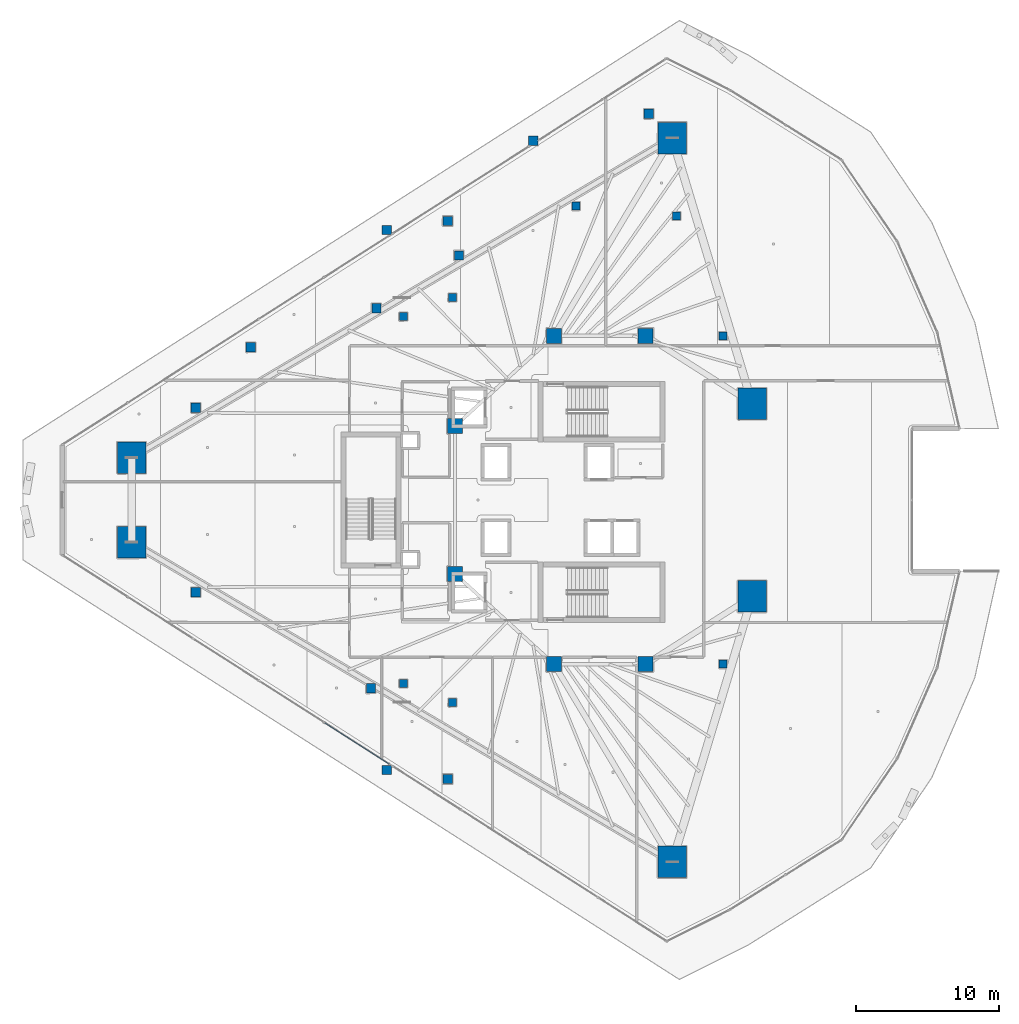
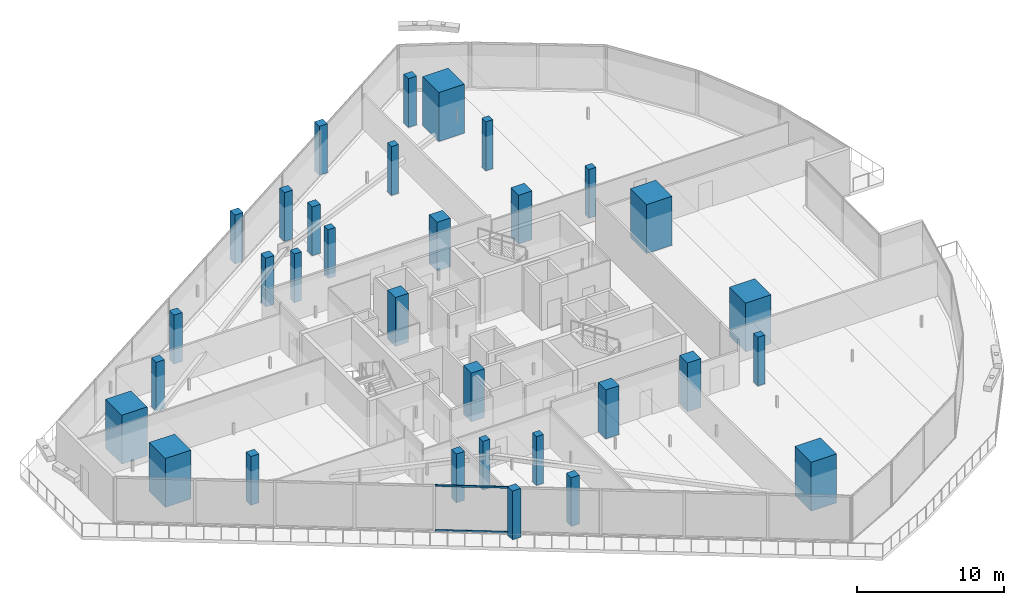
# One storey, part 1 of 45: 32 columns, 2 members, 1 element without a shape of its own.
"""IFC4 building model written with IfcOpenShell, lengths in metres."""

from ifc_helpers import new_model, si_unit, direction, frame, origin, origin_2d, place, context, subcontext, project, spatial, rectangle, hollow_rectangle, extrude, material, layer, layer_set, material_profile, profile_set, type_object, element, aggregate, save


model = new_model("IFC4")

# Units and contexts
model_context = context("Model", 3, precision=1e-05, world=origin(), true_north=direction((0.0, 1.0)))
body_context = subcontext(model_context, "Body", "Model", "MODEL_VIEW")
ifc_project = project(units=[si_unit("LENGTHUNIT", "METRE"), si_unit("AREAUNIT", "SQUARE_METRE"), si_unit("VOLUMEUNIT", "CUBIC_METRE"), si_unit("PLANEANGLEUNIT", "RADIAN"), si_unit("MASSUNIT", "GRAM", prefix="KILO")], contexts=[model_context])

# Site, building, storey
site_placement = place(None, origin())
site = spatial("IfcSite", under=ifc_project, at=site_placement, CompositionType="ELEMENT")
building_placement = place(site_placement, origin())
building = spatial("IfcBuilding", under=site, at=building_placement, Name="Qorvath Tower", CompositionType="ELEMENT")
storey_placement = place(building_placement, frame((0.0, 0.0, 126.0)))
storey = spatial("IfcBuildingStorey", under=building, at=storey_placement, Name="L28", CompositionType="ELEMENT", Elevation=126.0)

# Columns
ifc_material_1 = material(Name="Concrete C70/85", Category="concrete")
ifc_material_profile_1 = material_profile(ifc_material_1, rectangle(XDim=2.0, YDim=2.199951171875, at=origin_2d()), Name="MC 2200x2000")
ifc_profile_set_1 = profile_set([ifc_material_profile_1], Name="Concrete C70/85")
column_type_1 = type_object("IfcColumnType", Name="COL-MC2", PredefinedType="COLUMN", material=ifc_profile_set_1)
for number, where, z_axis, x_axis, name in (
    (1, (-53.04931640625, 2.95068359375, 0.0), (0.0, 0.0, 1.0), (1.0, 0.0, 0.0), "Composite Mega-Column MC1 L28"),
    (2, (-53.04931640625, -2.95068359375, 0.0), (0.0, 0.0, 1.0), (1.0, 0.0, 0.0), "Composite Mega-Column MC2 L28"),
    (3, (-15.34423828125, -25.24609375, 0.0), (0.0, 0.0, 1.0), (1.0, 0.0, 0.0), "Composite Mega-Column MC3 L28"),
    (4, (-9.770263671875, -6.721435546875, 0.0), (0.0, 0.0, 1.0), (1.0, 0.0, 0.0), "Composite Mega-Column MC4 L28"),
    (5, (-9.770263671875, 6.721435546875, 0.0), (0.0, 0.0, 1.0), (1.0, 0.0, 0.0), "Composite Mega-Column MC5 L28"),
    (6, (-15.34423828125, 25.24609375, 0.0), (0.0, 0.0, 1.0), (1.0, 0.0, 0.0), "Composite Mega-Column MC6 L28"),
):
    element("IfcColumn", number, at=place(storey_placement, frame(where, z_axis=z_axis, x_axis=x_axis)), inside=storey, type_object=column_type_1, Name=name, PredefinedType="COLUMN", context=body_context, shape_type="SweptSolid", body=[
        extrude(rectangle(XDim=2.0, YDim=2.199951171875, at=origin_2d()), origin(), (0.0, 0.0, 1.0), 4.050048828125),
    ])
ifc_material_2 = material(Name="Concrete C60/75", Category="concrete")
ifc_material_profile_2 = material_profile(ifc_material_2, rectangle(XDim=1.050048828125, YDim=1.050048828125, at=origin_2d()), Name="RC 1050x1050")
ifc_profile_set_2 = profile_set([ifc_material_profile_2], Name="Concrete C60/75")
column_type_2 = type_object("IfcColumnType", Name="COL-RC2", PredefinedType="COLUMN", material=ifc_profile_set_2)
for number, where, z_axis, x_axis, name in (
    (7, (-23.60009765625, 11.449951171875, 0.0), (0.0, 0.0, 1.0), (1.0, 0.0, 0.0), "Core Spine Column CC1 L28"),
    (8, (-17.199951171875, 11.449951171875, 0.0), (0.0, 0.0, 1.0), (1.0, 0.0, 0.0), "Core Spine Column CC2 L28"),
    (9, (-17.199951171875, -11.449951171875, 0.0), (0.0, 0.0, 1.0), (1.0, 0.0, 0.0), "Core Spine Column CC3 L28"),
    (10, (-23.60009765625, -11.449951171875, 0.0), (0.0, 0.0, 1.0), (1.0, 0.0, 0.0), "Core Spine Column CC4 L28"),
    (11, (-30.5, 5.14990234375, 0.0), (0.0, 0.0, 1.0), (1.0, 0.0, 0.0), "Core Spine Column CC5 L28"),
    (12, (-30.5, -5.14990234375, 0.0), (0.0, 0.0, 1.0), (1.0, 0.0, 0.0), "Core Spine Column CC6 L28"),
):
    element("IfcColumn", number, at=place(storey_placement, frame(where, z_axis=z_axis, x_axis=x_axis)), inside=storey, type_object=column_type_2, Name=name, PredefinedType="COLUMN", context=body_context, shape_type="SweptSolid", body=[
        extrude(rectangle(XDim=1.050048828125, YDim=1.050048828125, at=origin_2d()), origin(), (0.0, 0.0, 1.0), 4.050048828125),
    ])
ifc_material_3 = material(Name="Concrete C45/55", Category="concrete")
ifc_material_profile_3 = material_profile(ifc_material_3, rectangle(XDim=0.64990234375, YDim=0.64990234375, at=origin_2d()), Name="RC 650x650")
ifc_profile_set_3 = profile_set([ifc_material_profile_3], Name="Concrete C45/55")
column_type_3 = type_object("IfcColumnType", Name="COL-RC6", PredefinedType="COLUMN", material=ifc_profile_set_3)
for number, where, z_axis, x_axis, name in (
    (13, (-35.251708984375, 18.829345703125, 0.0), (0.0, 0.0, 1.0), (1.0, 0.0, 0.0), "Loggia Frame Pier Column LGC1 L28"),
    (14, (-35.251708984375, -18.829345703125, 0.0), (0.0, 0.0, 1.0), (1.0, 0.0, 0.0), "Loggia Frame Pier Column LGC2 L28"),
    (15, (-25.03759765625, 25.058837890625, 0.0), (0.0, 0.0, 1.0), (1.0, 0.0, 0.0), "Loggia Frame Pier Column LGC3 L28"),
    (16, (-31.01611328125, 19.46044921875, 0.0), (0.0, 0.0, 1.0), (1.0, 0.0, 0.0), "Loggia Frame Pier Column LGD1 L28"),
    (17, (-31.01611328125, -19.46044921875, 0.0), (0.0, 0.0, 1.0), (1.0, 0.0, 0.0), "Loggia Frame Pier Column LGD2 L28"),
    (18, (-44.736328125, 10.65234375, 0.0), (0.0, 0.0, 1.0), (1.0, 0.0, 0.0), "Loggia Frame Pier Column LGD3 L28"),
    (19, (-48.578369140625, 6.424560546875, 0.0), (0.0, 0.0, 1.0), (1.0, 0.0, 0.0), "Loggia Frame Pier Column LGE1 L28"),
    (20, (-48.578369140625, -6.424560546875, 0.0), (0.0, 0.0, 1.0), (1.0, 0.0, 0.0), "Loggia Frame Pier Column LGE2 L28"),
    (21, (-16.981201171875, 26.92919921875, 0.0), (0.0, 0.0, 1.0), (1.0, 0.0, 0.0), "Loggia Frame Pier Column LGE3 L28"),
    (22, (-35.980712890625, 13.380859375, 0.0), (0.0, 0.0, 1.0), (1.0, 0.0, 0.0), "Loggia Frame Pier Column LGF1 L28"),
    (23, (-36.36474609375, -13.135498046875, 0.0), (0.0, 0.0, 1.0), (1.0, 0.0, 0.0), "Loggia Frame Pier Column LGF2 L28"),
    (24, (-30.224853515625, 17.0595703125, 0.0), (0.0, 0.0, 1.0), (1.0, 0.0, 0.0), "Loggia Frame Pier Column LGF3 L28"),
):
    element("IfcColumn", number, at=place(storey_placement, frame(where, z_axis=z_axis, x_axis=x_axis)), inside=storey, type_object=column_type_3, Name=name, PredefinedType="COLUMN", context=body_context, shape_type="SweptSolid", body=[
        extrude(rectangle(XDim=0.64990234375, YDim=0.64990234375, at=origin_2d()), origin(), (0.0, 0.0, 1.0), 4.050048828125),
    ])
ifc_material_4 = material(Name="Concrete C45/55", Category="concrete")
ifc_material_profile_4 = material_profile(ifc_material_4, rectangle(XDim=0.550048828125, YDim=0.550048828125, at=origin_2d()), Name="RC 550x550")
ifc_profile_set_4 = profile_set([ifc_material_profile_4], Name="Concrete C45/55")
column_type_4 = type_object("IfcColumnType", Name="COL-RC7", PredefinedType="COLUMN", material=ifc_profile_set_4)
for number, where, z_axis, x_axis, name in (
    (25, (-34.104248046875, 12.79248046875, 0.0), (0.0, 0.0, 1.0), (1.0, 0.0, 0.0), "Loggia Frame Pier Column LGG1 L28"),
    (26, (-34.104248046875, -12.79248046875, 0.0), (0.0, 0.0, 1.0), (1.0, 0.0, 0.0), "Loggia Frame Pier Column LGG2 L28"),
    (27, (-22.05322265625, 20.494873046875, 0.0), (0.0, 0.0, 1.0), (1.0, 0.0, 0.0), "Loggia Frame Pier Column LGG3 L28"),
    (28, (-30.67724609375, 14.124267578125, 0.0), (0.0, 0.0, 1.0), (1.0, 0.0, 0.0), "Loggia Frame Pier Column LGH1 L28"),
    (29, (-30.67724609375, -14.124267578125, 0.0), (0.0, 0.0, 1.0), (1.0, 0.0, 0.0), "Loggia Frame Pier Column LGH2 L28"),
    (30, (-15.046142578125, 19.818115234375, 0.0), (0.0, 0.0, 1.0), (1.0, 0.0, 0.0), "Loggia Frame Pier Column LGH3 L28"),
    (31, (-11.800048828125, -11.449951171875, 0.0), (0.0, 0.0, 1.0), (1.0, 0.0, 0.0), "Central Slot Jamb Column SC1 L28"),
    (32, (-11.800048828125, 11.449951171875, 0.0), (0.0, 0.0, 1.0), (1.0, 0.0, 0.0), "Central Slot Jamb Column SC2 L28"),
):
    element("IfcColumn", number, at=place(storey_placement, frame(where, z_axis=z_axis, x_axis=x_axis)), inside=storey, type_object=column_type_4, Name=name, PredefinedType="COLUMN", context=body_context, shape_type="SweptSolid", body=[
        extrude(rectangle(XDim=0.550048828125, YDim=0.550048828125, at=origin_2d()), origin(), (0.0, 0.0, 1.0), 4.050048828125),
    ])

# Curtain wall, members
ifc_material_5 = material(Name="Anodised aluminium and triple low-E glass", Category="aluminium")
ifc_layer = layer(ifc_material_5, 0.179931640625)
ifc_layer_set = layer_set([ifc_layer], Name="CW-SYS-2")
curtain_wall_type = type_object("IfcCurtainWallType", Name="CW-SYS-2", PredefinedType="NOTDEFINED", material=ifc_layer_set)
curtain_wall_placement = place(storey_placement, origin())
curtain_wall = element("IfcCurtainWall", 33, at=curtain_wall_placement, inside=storey, type_object=curtain_wall_type, Name="Curtain Wall CW-2 CW-T-L28-2.1", PredefinedType="NOTDEFINED")
ifc_material_6 = material(Name="Anodised aluminium 6063-T6", Category="aluminium")
ifc_material_profile_5 = material_profile(ifc_material_6, hollow_rectangle(XDim=0.06494140625, YDim=0.159912109375, WallThickness=0.00341796875, InnerFilletRadius=0.00341796875, OuterFilletRadius=0.007080078125, at=origin_2d()), Name="CWT 160x65")
ifc_profile_set_5 = profile_set([ifc_material_profile_5], Name="Anodised aluminium 6063-T6")
member_type = type_object("IfcMemberType", Name="CWT-160", PredefinedType="USERDEFINED", material=ifc_profile_set_5)
member_1_placement = place(storey_placement, frame((-39.57373046875, -15.5546875, 0.032470703125), z_axis=(0.842595771585, -0.53854653068, 0.0), x_axis=(0.53854653068, 0.842595771585, 0.0)))
member_1 = element("IfcMember", 34, at=member_1_placement, type_object=member_type, Name="CW-2 transom 5.1", ObjectType="TRANSOM", PredefinedType="USERDEFINED", context=body_context, shape_type="SweptSolid", body=[
    extrude(hollow_rectangle(XDim=0.06494140625, YDim=0.159912109375, WallThickness=0.00341796875, InnerFilletRadius=0.00341796875, OuterFilletRadius=0.007080078125, at=origin_2d()), origin(), (0.0, 0.0, 1.0), 5.328369140625),
])
member_2_placement = place(storey_placement, frame((-39.57373046875, -15.5546875, 3.737548828125), z_axis=(0.842595771585, -0.53854653068, 0.0), x_axis=(0.53854653068, 0.842595771585, 0.0)))
member_2 = element("IfcMember", 35, at=member_2_placement, type_object=member_type, Name="CW-2 transom 5.2", ObjectType="TRANSOM", PredefinedType="USERDEFINED", context=body_context, shape_type="SweptSolid", body=[
    extrude(hollow_rectangle(XDim=0.06494140625, YDim=0.159912109375, WallThickness=0.00341796875, InnerFilletRadius=0.00341796875, OuterFilletRadius=0.007080078125, at=origin_2d()), origin(), (0.0, 0.0, 1.0), 5.328369140625),
])
aggregate(curtain_wall, [member_1, member_2])

save(model, "model.ifc")
